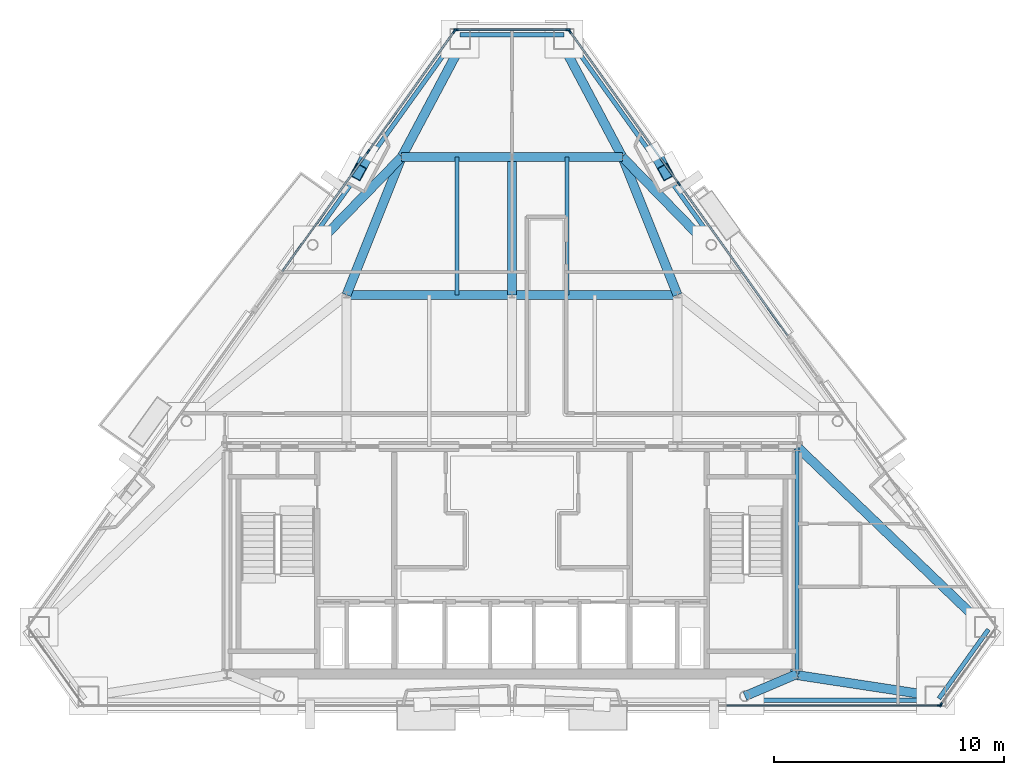
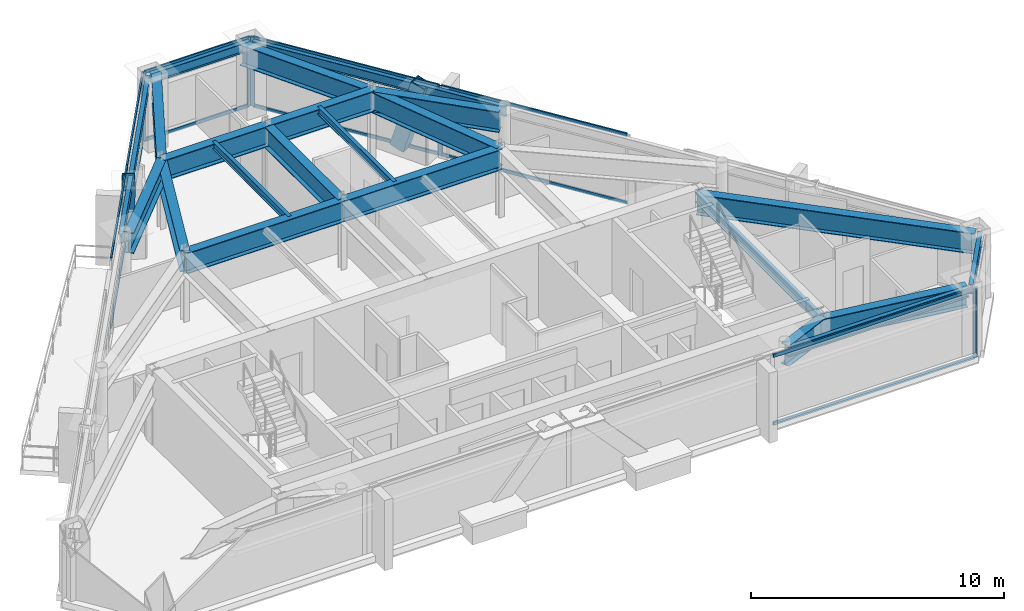
# One storey, part 5 of 12: 22 beams, 22 members, 5 elements without a shape of their own.
"""IFC4 building model written with IfcOpenShell, lengths in metres."""

from ifc_helpers import new_model, si_unit, direction, frame, origin, origin_2d, place, context, subcontext, project, spatial, rectangle, hollow_rectangle, i_section, extrude, material, layer, layer_set, material_profile, profile_set, type_object, element, aggregate, save


model = new_model("IFC4")

# Units and contexts
model_context = context("Model", 3, precision=1e-05, world=origin(), true_north=direction((0.0, 1.0)))
body_context = subcontext(model_context, "Body", "Model", "MODEL_VIEW")
ifc_project = project(units=[si_unit("LENGTHUNIT", "METRE"), si_unit("AREAUNIT", "SQUARE_METRE"), si_unit("VOLUMEUNIT", "CUBIC_METRE"), si_unit("PLANEANGLEUNIT", "RADIAN"), si_unit("MASSUNIT", "GRAM", prefix="KILO")], contexts=[model_context])

# Site, building, storey
site_placement = place(None, origin())
site = spatial("IfcSite", under=ifc_project, at=site_placement, CompositionType="ELEMENT")
building_placement = place(site_placement, origin())
building = spatial("IfcBuilding", under=site, at=building_placement, Name="Talgorran Terracotta Tower", CompositionType="ELEMENT")
storey_placement = place(building_placement, frame((0.0, 0.0, 259.800048828125)))
storey = spatial("IfcBuildingStorey", under=building, at=storey_placement, Name="L68", CompositionType="ELEMENT", Elevation=259.800048828125)

# Beams
ifc_material_1 = material(Name="Steel Grade 350 (350L0)", Category="steel")
ifc_material_profile_1 = material_profile(ifc_material_1, i_section(OverallWidth=0.39990234375, OverallDepth=1.0, WebThickness=0.01611328125, FlangeThickness=0.031005859375, at=origin_2d()), Name="1000WB296")
ifc_profile_set_1 = profile_set([ifc_material_profile_1], Name="Steel Grade 350 (350L0)")
beam_type_1 = type_object("IfcBeamType", Name="BM_1000WB296", PredefinedType="BEAM", material=ifc_profile_set_1)
beam_1_placement = place(storey_placement, frame((12.39990234375, -14.10009765625, 2.844970703125), z_axis=(-0.920082307349, -0.391725092002, 0.0), x_axis=(0.391725092002, -0.920082307349, 0.0)))
element("IfcBeam", 1, at=beam_1_placement, inside=storey, type_object=beam_type_1, Name="L68 South-East Core Tie Beam", PredefinedType="BEAM", context=body_context, shape_type="SweptSolid", body=[
    extrude(i_section(OverallWidth=0.39990234375, OverallDepth=1.0, WebThickness=0.01611328125, FlangeThickness=0.031005859375, at=origin_2d()), origin(), (0.0, 0.0, 1.0), 2.458740234375),
])
beam_2_placement = place(storey_placement, frame((18.43212890625, -15.063232421875, 2.844970703125), z_axis=(-0.988628941226, 0.150375585022, 0.0), x_axis=(-0.150375585022, -0.988628941226, 0.0)))
element("IfcBeam", 2, at=beam_2_placement, inside=storey, type_object=beam_type_1, Name="L68 Perimeter Step Girder 5", PredefinedType="BEAM", context=body_context, shape_type="SweptSolid", body=[
    extrude(i_section(OverallWidth=0.39990234375, OverallDepth=1.0, WebThickness=0.01611328125, FlangeThickness=0.031005859375, at=origin_2d()), origin(), (0.0, 0.0, 1.0), 6.40478515625),
])
for number, where, z_axis, x_axis, name in (
    (3, (1.97509765625, 13.716796875, 2.844970703125), (0.469200685486, -0.883091567585, 0.0), (0.883091567585, 0.469200685486, 0.0), "L68 Perimeter Step Girder 9B"),
    (4, (-1.97509765625, 13.716796875, 2.844970703125), (-0.469200685486, -0.883091567585, 0.0), (0.883091567585, -0.469200685486, 0.0), "L68 Perimeter Step Girder 10B"),
):
    element("IfcBeam", number, at=place(storey_placement, frame(where, z_axis=z_axis, x_axis=x_axis)), inside=storey, type_object=beam_type_1, Name=name, PredefinedType="BEAM", context=body_context, shape_type="SweptSolid", body=[
        extrude(i_section(OverallWidth=0.39990234375, OverallDepth=1.0, WebThickness=0.01611328125, FlangeThickness=0.031005859375, at=origin_2d()), origin(), (0.0, 0.0, 1.0), 6.020751953125),
    ])
for number, where, z_axis, x_axis, name in (
    (5, (-7.199951171875, 2.39990234375, 2.844970703125), (1.0, 0.0, 0.0), (0.0, 1.0, 0.0), "L68 Floor Girder G04"),
    (6, (0.0, 2.39990234375, 2.844970703125), (1.0, 0.0, 0.0), (0.0, 1.0, 0.0), "L68 Floor Girder G05"),
):
    element("IfcBeam", number, at=place(storey_placement, frame(where, z_axis=z_axis, x_axis=x_axis)), inside=storey, type_object=beam_type_1, Name=name, PredefinedType="BEAM", context=body_context, shape_type="SweptSolid", body=[
        extrude(i_section(OverallWidth=0.39990234375, OverallDepth=1.0, WebThickness=0.01611328125, FlangeThickness=0.031005859375, at=origin_2d()), origin(), (0.0, 0.0, 1.0), 7.199951171875),
    ])
beam_3_placement = place(storey_placement, frame((-7.199951171875, 2.39990234375, 2.844970703125), z_axis=(0.371377648723, 0.928481901832, 0.0), x_axis=(-0.928481901832, 0.371377648723, 0.0)))
element("IfcBeam", 7, at=beam_3_placement, inside=storey, type_object=beam_type_1, Name="L68 Floor Girder G08", PredefinedType="BEAM", context=body_context, shape_type="SweptSolid", body=[
    extrude(i_section(OverallWidth=0.39990234375, OverallDepth=1.0, WebThickness=0.01611328125, FlangeThickness=0.031005859375, at=origin_2d()), origin(), (0.0, 0.0, 1.0), 6.462158203125),
])
beam_4_placement = place(storey_placement, frame((0.0, 2.39990234375, 2.844970703125), z_axis=(0.0, 1.0, 0.0), x_axis=(-1.0, 0.0, 0.0)))
element("IfcBeam", 8, at=beam_4_placement, inside=storey, type_object=beam_type_1, Name="L68 Floor Girder G09", PredefinedType="BEAM", context=body_context, shape_type="SweptSolid", body=[
    extrude(i_section(OverallWidth=0.39990234375, OverallDepth=1.0, WebThickness=0.01611328125, FlangeThickness=0.031005859375, at=origin_2d()), origin(), (0.0, 0.0, 1.0), 6.0),
])
beam_5_placement = place(storey_placement, frame((7.199951171875, 2.39990234375, 2.844970703125), z_axis=(-0.371377648723, 0.928481901832, 0.0), x_axis=(-0.928481901832, -0.371377648723, 0.0)))
element("IfcBeam", 9, at=beam_5_placement, inside=storey, type_object=beam_type_1, Name="L68 Floor Girder G10", PredefinedType="BEAM", context=body_context, shape_type="SweptSolid", body=[
    extrude(i_section(OverallWidth=0.39990234375, OverallDepth=1.0, WebThickness=0.01611328125, FlangeThickness=0.031005859375, at=origin_2d()), origin(), (0.0, 0.0, 1.0), 6.462158203125),
])
for number, where, z_axis, x_axis, name in (
    (10, (-4.800048828125, 8.39990234375, 2.844970703125), (1.0, 0.0, 0.0), (0.0, 1.0, 0.0), "L68 Floor Girder G11"),
    (11, (0.0, 8.39990234375, 2.844970703125), (1.0, 0.0, 0.0), (0.0, 1.0, 0.0), "L68 Floor Girder G12"),
):
    element("IfcBeam", number, at=place(storey_placement, frame(where, z_axis=z_axis, x_axis=x_axis)), inside=storey, type_object=beam_type_1, Name=name, PredefinedType="BEAM", context=body_context, shape_type="SweptSolid", body=[
        extrude(i_section(OverallWidth=0.39990234375, OverallDepth=1.0, WebThickness=0.01611328125, FlangeThickness=0.031005859375, at=origin_2d()), origin(), (0.0, 0.0, 1.0), 4.800048828125),
    ])
for number, where, z_axis, x_axis, name in (
    (12, (-4.800048828125, 8.39990234375, 2.844970703125), (-0.697416483559, -0.716666064817, 0.0), (0.716666064817, -0.697416483559, 0.0), "L68 Floor Girder G13"),
    (13, (4.800048828125, 8.39990234375, 2.844970703125), (0.697416483559, -0.716666064817, 0.0), (0.716666064817, 0.697416483559, 0.0), "L68 Floor Girder G14"),
):
    element("IfcBeam", number, at=place(storey_placement, frame(where, z_axis=z_axis, x_axis=x_axis)), inside=storey, type_object=beam_type_1, Name=name, PredefinedType="BEAM", context=body_context, shape_type="SweptSolid", body=[
        extrude(i_section(OverallWidth=0.39990234375, OverallDepth=1.0, WebThickness=0.01611328125, FlangeThickness=0.031005859375, at=origin_2d()), origin(), (0.0, 0.0, 1.0), 5.288818359375),
    ])
beam_6_placement = place(storey_placement, frame((12.39990234375, -4.199951171875, 2.844970703125), z_axis=(0.721440209588, -0.692476731731, 0.0), x_axis=(0.692476731731, 0.721440209588, 0.0)))
element("IfcBeam", 14, at=beam_6_placement, inside=storey, type_object=beam_type_1, Name="L68 Floor Girder G18", PredefinedType="BEAM", context=body_context, shape_type="SweptSolid", body=[
    extrude(i_section(OverallWidth=0.39990234375, OverallDepth=1.0, WebThickness=0.01611328125, FlangeThickness=0.031005859375, at=origin_2d()), origin(), (0.0, 0.0, 1.0), 11.345703125),
])
ifc_material_2 = material(Name="Steel S355 (300PLUS)", Category="steel")
ifc_material_profile_2 = material_profile(ifc_material_2, i_section(OverallWidth=0.17138671875, OverallDepth=0.355712890625, WebThickness=0.00732421875, FlangeThickness=0.011474609375, at=origin_2d()), Name="360UB50.7")
ifc_profile_set_2 = profile_set([ifc_material_profile_2], Name="Steel S355 (300PLUS)")
beam_type_2 = type_object("IfcBeamType", Name="BM_JS_360UB51", PredefinedType="JOIST", material=ifc_profile_set_2)
for number, where, z_axis, x_axis, name in (
    (15, (-2.39990234375, 2.39990234375, 3.167236328125), (0.0, 1.0, 0.0), (-1.0, 0.0, 0.0), "L68 Secondary Joist J03"),
    (16, (2.39990234375, 2.39990234375, 3.167236328125), (0.0, 1.0, 0.0), (-1.0, 0.0, 0.0), "L68 Secondary Joist J04"),
):
    element("IfcBeam", number, at=place(storey_placement, frame(where, z_axis=z_axis, x_axis=x_axis)), inside=storey, type_object=beam_type_2, Name=name, PredefinedType="JOIST", context=body_context, shape_type="SweptSolid", body=[
        extrude(i_section(OverallWidth=0.17138671875, OverallDepth=0.355712890625, WebThickness=0.00732421875, FlangeThickness=0.011474609375, at=origin_2d()), origin(), (0.0, 0.0, 1.0), 6.0),
    ])
ifc_material_profile_3 = material_profile(ifc_material_2, i_section(OverallWidth=0.18994140625, OverallDepth=0.45703125, WebThickness=0.009033203125, FlangeThickness=0.014404296875, at=origin_2d()), Name="460UB74.6")
ifc_profile_set_3 = profile_set([ifc_material_profile_3], Name="Steel S355 (300PLUS)")
beam_type_3 = type_object("IfcBeamType", Name="BM_SP_460UB74", PredefinedType="SPANDREL", material=ifc_profile_set_3)
beam_7_placement = place(storey_placement, frame((10.1376953125, -15.243408203125, 3.116455078125), z_axis=(1.0, 0.0, 0.0), x_axis=(0.0, 1.0, 0.0)))
element("IfcBeam", 17, at=beam_7_placement, inside=storey, type_object=beam_type_3, Name="L68 Perimeter Spandrel Beam FC2-MC3", PredefinedType="SPANDREL", context=body_context, shape_type="SweptSolid", body=[
    extrude(i_section(OverallWidth=0.18994140625, OverallDepth=0.45703125, WebThickness=0.009033203125, FlangeThickness=0.014404296875, at=origin_2d()), origin(), (0.0, 0.0, 1.0), 8.29443359375),
])
beam_8_placement = place(storey_placement, frame((18.578369140625, -15.168212890625, 3.116455078125), z_axis=(0.582224487769, 0.813028071989, 0.0), x_axis=(-0.813028071989, 0.582224487769, 0.0)))
element("IfcBeam", 18, at=beam_8_placement, inside=storey, type_object=beam_type_3, Name="L68 Perimeter Spandrel Beam MC3-MC4", PredefinedType="SPANDREL", context=body_context, shape_type="SweptSolid", body=[
    extrude(i_section(OverallWidth=0.18994140625, OverallDepth=0.45703125, WebThickness=0.009033203125, FlangeThickness=0.014404296875, at=origin_2d()), origin(), (0.0, 0.0, 1.0), 3.697998046875),
])
beam_9_placement = place(storey_placement, frame((8.81884765625, 4.683837890625, 3.116455078125), z_axis=(-0.58220828918, 0.813039671855, 0.0), x_axis=(-0.813039671855, -0.58220828918, 0.0)))
element("IfcBeam", 19, at=beam_9_placement, inside=storey, type_object=beam_type_3, Name="L68 Perimeter Spandrel Beam FC4-MC5", PredefinedType="SPANDREL", context=body_context, shape_type="SweptSolid", body=[
    extrude(i_section(OverallWidth=0.18994140625, OverallDepth=0.45703125, WebThickness=0.009033203125, FlangeThickness=0.014404296875, at=origin_2d()), origin(), (0.0, 0.0, 1.0), 11.017578125),
])
beam_10_placement = place(storey_placement, frame((2.258056640625, 13.716796875, 3.116455078125), z_axis=(-1.0, 0.0, 0.0), x_axis=(0.0, -1.0, 0.0)))
element("IfcBeam", 20, at=beam_10_placement, inside=storey, type_object=beam_type_3, Name="L68 Perimeter Spandrel Beam MC5-MC6", PredefinedType="SPANDREL", context=body_context, shape_type="SweptSolid", body=[
    extrude(i_section(OverallWidth=0.18994140625, OverallDepth=0.45703125, WebThickness=0.009033203125, FlangeThickness=0.014404296875, at=origin_2d()), origin(), (0.0, 0.0, 1.0), 4.51611328125),
])
beam_11_placement = place(storey_placement, frame((-2.404296875, 13.6416015625, 3.116455078125), z_axis=(-0.58220828918, -0.813039671855, 0.0), x_axis=(0.813039671855, -0.58220828918, 0.0)))
element("IfcBeam", 21, at=beam_11_placement, inside=storey, type_object=beam_type_3, Name="L68 Perimeter Spandrel Beam MC6-FC5", PredefinedType="SPANDREL", context=body_context, shape_type="SweptSolid", body=[
    extrude(i_section(OverallWidth=0.18994140625, OverallDepth=0.45703125, WebThickness=0.009033203125, FlangeThickness=0.014404296875, at=origin_2d()), origin(), (0.0, 0.0, 1.0), 11.017578125),
])
beam_12_placement = place(storey_placement, frame((12.39990234375, -14.10009765625, 3.116455078125), z_axis=(0.0, 1.0, 0.0), x_axis=(-1.0, 0.0, 0.0)))
element("IfcBeam", 22, at=beam_12_placement, inside=storey, type_object=beam_type_3, Name="L68 Core Frame Beam CFE", PredefinedType="SPANDREL", context=body_context, shape_type="SweptSolid", body=[
    extrude(i_section(OverallWidth=0.18994140625, OverallDepth=0.45703125, WebThickness=0.009033203125, FlangeThickness=0.014404296875, at=origin_2d()), origin(), (0.0, 0.0, 1.0), 9.900146484375),
])

# Members
ifc_material_profile_4 = material_profile(ifc_material_1, hollow_rectangle(XDim=0.52001953125, YDim=0.659912109375, WallThickness=0.034912109375, at=origin_2d()), Name="WBOX660X520X35")
ifc_profile_set_4 = profile_set([ifc_material_profile_4], Name="Steel Grade 350 (350L0)")
member_type_1 = type_object("IfcMemberType", Name="MB_MEGA_660", PredefinedType="BRACE", material=ifc_profile_set_4)
for number, where, z_axis, x_axis, name in (
    (23, (6.2158203125, 8.628173828125, -0.025146484375), (0.13353529384, -0.249344053323, 0.9591641509), (0.881541591295, 0.472106368118, 0.0), "L68 Exterior Face Mega-Brace MB-3 (NEU)"),
    (24, (-6.2158203125, 8.628173828125, -0.025146484375), (-0.13353529384, -0.249344053323, 0.9591641509), (0.881541591295, -0.472106368118, 0.0), "L68 Exterior Face Mega-Brace MB-3 (NWU)"),
):
    element("IfcMember", number, at=place(storey_placement, frame(where, z_axis=z_axis, x_axis=x_axis)), inside=storey, type_object=member_type_1, Name=name, PredefinedType="BRACE", context=body_context, shape_type="SweptSolid", body=[
        extrude(hollow_rectangle(XDim=0.52001953125, YDim=0.659912109375, WallThickness=0.034912109375, at=origin_2d()), origin(), (0.0, 0.0, 1.0), 3.53955078125),
    ])

# Curtain wall, member
ifc_material_3 = material(Name="High-Wind Unitised Glazing", Category="glass")
ifc_layer = layer(ifc_material_3, 0.2099609375, Name="CW_SYS3_RES_HIGH")
ifc_layer_set = layer_set([ifc_layer], Name="High-Wind Unitised Glazing")
curtain_wall_type = type_object("IfcCurtainWallType", Name="CW_SYS3_RES_HIGH", PredefinedType="NOTDEFINED", material=ifc_layer_set)
curtain_wall_1_placement = place(storey_placement, origin())
curtain_wall_1 = element("IfcCurtainWall", 25, at=curtain_wall_1_placement, inside=storey, type_object=curtain_wall_type, Name="CW-L68-F1", PredefinedType="NOTDEFINED")
ifc_material_4 = material(Name="Architectural Aluminium 6063-T6", Category="aluminium")
ifc_material_profile_5 = material_profile(ifc_material_4, rectangle(XDim=0.070068359375, YDim=0.199951171875, at=origin_2d()), Name="CWM70X200")
ifc_profile_set_5 = profile_set([ifc_material_profile_5], Name="Architectural Aluminium 6063-T6")
member_type_2 = type_object("IfcMemberType", Name="MUL_70X200", PredefinedType="MULLION", material=ifc_profile_set_5)
member_1_placement = place(storey_placement, frame((18.6025390625, -15.46337890625, 0.0), z_axis=(0.0, 0.0, 1.0), x_axis=(0.0, 1.0, 0.0)))
member_1 = element("IfcMember", 26, at=member_1_placement, type_object=member_type_2, Name="CW-L68-1 mullion 5", PredefinedType="MULLION", context=body_context, shape_type="SweptSolid", body=[
    extrude(rectangle(XDim=0.070068359375, YDim=0.199951171875, at=origin_2d()), origin(), (0.0, 0.0, 1.0), 3.344970703125),
])

curtain_wall_2_placement = place(storey_placement, origin())
curtain_wall_2 = element("IfcCurtainWall", 27, at=curtain_wall_2_placement, inside=storey, type_object=curtain_wall_type, Name="CW-L68-F2", PredefinedType="NOTDEFINED")
member_2_placement = place(storey_placement, frame((18.657958984375, -15.434814453125, 0.0), z_axis=(0.0, 0.0, 1.0), x_axis=(-0.813031401137, 0.582219838862, 0.0)))
member_2 = element("IfcMember", 28, at=member_2_placement, type_object=member_type_2, Name="CW-L68-2 mullion 1", PredefinedType="MULLION", context=body_context, shape_type="SweptSolid", body=[
    extrude(rectangle(XDim=0.070068359375, YDim=0.199951171875, at=origin_2d()), origin(), (0.0, 0.0, 1.0), 3.344970703125),
])
aggregate(curtain_wall_2, [member_2])

# Curtain wall, members
curtain_wall_3_placement = place(storey_placement, origin())
curtain_wall_3 = element("IfcCurtainWall", 29, at=curtain_wall_3_placement, inside=storey, type_object=curtain_wall_type, Name="CW-L68-F41", PredefinedType="NOTDEFINED")
member_3_placement = place(storey_placement, frame((7.259521484375, 7.239501953125, 0.0), z_axis=(0.0, 0.0, 1.0), x_axis=(-0.813042574, -0.582204236384, 0.0)))
member_3 = element("IfcMember", 30, at=member_3_placement, type_object=member_type_2, Name="CW-L68-41 mullion 2", PredefinedType="MULLION", context=body_context, shape_type="SweptSolid", body=[
    extrude(rectangle(XDim=0.070068359375, YDim=0.199951171875, at=origin_2d()), origin(), (0.0, 0.0, 1.0), 3.344970703125),
])
member_4_placement = place(storey_placement, frame((2.50732421875, 13.875732421875, 0.0), z_axis=(0.0, 0.0, 1.0), x_axis=(-0.813042574, -0.582204236384, 0.0)))
member_4 = element("IfcMember", 31, at=member_4_placement, type_object=member_type_2, Name="CW-L68-41 mullion 3", PredefinedType="MULLION", context=body_context, shape_type="SweptSolid", body=[
    extrude(rectangle(XDim=0.070068359375, YDim=0.199951171875, at=origin_2d()), origin(), (0.0, 0.0, 1.0), 3.344970703125),
])

curtain_wall_4_placement = place(storey_placement, origin())
curtain_wall_4 = element("IfcCurtainWall", 32, at=curtain_wall_4_placement, inside=storey, type_object=curtain_wall_type, Name="CW-L68-F4", PredefinedType="NOTDEFINED")
member_5_placement = place(storey_placement, frame((2.4287109375, 13.936767578125, 0.0), z_axis=(0.0, 0.0, 1.0), x_axis=(0.0, -1.0, 0.0)))
member_5 = element("IfcMember", 33, at=member_5_placement, type_object=member_type_2, Name="CW-L68-4 mullion 1", PredefinedType="MULLION", context=body_context, shape_type="SweptSolid", body=[
    extrude(rectangle(XDim=0.070068359375, YDim=0.199951171875, at=origin_2d()), origin(), (0.0, 0.0, 1.0), 3.344970703125),
])
member_6_placement = place(storey_placement, frame((-2.4287109375, 13.936767578125, 0.0), z_axis=(0.0, 0.0, 1.0), x_axis=(0.0, -1.0, 0.0)))
member_6 = element("IfcMember", 34, at=member_6_placement, type_object=member_type_2, Name="CW-L68-4 mullion 2", PredefinedType="MULLION", context=body_context, shape_type="SweptSolid", body=[
    extrude(rectangle(XDim=0.070068359375, YDim=0.199951171875, at=origin_2d()), origin(), (0.0, 0.0, 1.0), 3.344970703125),
])

curtain_wall_5_placement = place(storey_placement, origin())
curtain_wall_5 = element("IfcCurtainWall", 35, at=curtain_wall_5_placement, inside=storey, type_object=curtain_wall_type, Name="CW-L68-F60", PredefinedType="NOTDEFINED")
member_7_placement = place(storey_placement, frame((-2.50732421875, 13.875732421875, 0.0), z_axis=(0.0, 0.0, 1.0), x_axis=(0.813041167998, -0.582206199848, 0.0)))
member_7 = element("IfcMember", 36, at=member_7_placement, type_object=member_type_2, Name="CW-L68-60 mullion 1", PredefinedType="MULLION", context=body_context, shape_type="SweptSolid", body=[
    extrude(rectangle(XDim=0.070068359375, YDim=0.199951171875, at=origin_2d()), origin(), (0.0, 0.0, 1.0), 3.344970703125),
])
member_8_placement = place(storey_placement, frame((-6.26025390625, 8.634765625, 0.0), z_axis=(0.0, 0.0, 1.0), x_axis=(0.813041167998, -0.582206199848, 0.0)))
member_8 = element("IfcMember", 37, at=member_8_placement, type_object=member_type_2, Name="CW-L68-60 mullion 2", PredefinedType="MULLION", context=body_context, shape_type="SweptSolid", body=[
    extrude(rectangle(XDim=0.070068359375, YDim=0.199951171875, at=origin_2d()), origin(), (0.0, 0.0, 1.0), 3.344970703125),
])

# Member
ifc_material_profile_6 = material_profile(ifc_material_4, rectangle(XDim=0.070068359375, YDim=0.159912109375, at=origin_2d()), Name="CWT70X160")
ifc_profile_set_6 = profile_set([ifc_material_profile_6], Name="Architectural Aluminium 6063-T6")
member_type_3 = type_object("IfcMemberType", Name="TRN_70X160", PredefinedType="USERDEFINED", material=ifc_profile_set_6)
member_9_placement = place(storey_placement, frame((9.353759765625, -15.46337890625, 0.034912109375), z_axis=(1.0, 0.0, 0.0), x_axis=(0.0, 1.0, 0.0)))
member_9 = element("IfcMember", 38, at=member_9_placement, type_object=member_type_3, Name="CW-L68-1 transom 4.1", ObjectType="TRANSOM", PredefinedType="USERDEFINED", context=body_context, shape_type="SweptSolid", body=[
    extrude(rectangle(XDim=0.070068359375, YDim=0.159912109375, at=origin_2d()), origin(), (0.0, 0.0, 1.0), 9.2138671875),
])

member_10_placement = place(storey_placement, frame((9.353759765625, -15.46337890625, 3.31005859375), z_axis=(1.0, 0.0, 0.0), x_axis=(0.0, 1.0, 0.0)))
member_10 = element("IfcMember", 39, at=member_10_placement, type_object=member_type_3, Name="CW-L68-1 transom 4.2", ObjectType="TRANSOM", PredefinedType="USERDEFINED", context=body_context, shape_type="SweptSolid", body=[
    extrude(rectangle(XDim=0.070068359375, YDim=0.159912109375, at=origin_2d()), origin(), (0.0, 0.0, 1.0), 9.2138671875),
])

aggregate(curtain_wall_1, [member_1, member_9, member_10])

member_11_placement = place(storey_placement, frame((11.9912109375, 0.631591796875, 0.034912109375), z_axis=(-0.582210948178, 0.813037767771, 0.0), x_axis=(-0.813037767771, -0.582210948178, 0.0)))
member_11 = element("IfcMember", 40, at=member_11_placement, type_object=member_type_3, Name="CW-L68-41 transom 1.1", ObjectType="TRANSOM", PredefinedType="USERDEFINED", context=body_context, shape_type="SweptSolid", body=[
    extrude(rectangle(XDim=0.070068359375, YDim=0.159912109375, at=origin_2d()), origin(), (0.0, 0.0, 1.0), 8.09228515625),
])

member_12_placement = place(storey_placement, frame((11.9912109375, 0.631591796875, 3.31005859375), z_axis=(-0.582210948178, 0.813037767771, 0.0), x_axis=(-0.813037767771, -0.582210948178, 0.0)))
member_12 = element("IfcMember", 41, at=member_12_placement, type_object=member_type_3, Name="CW-L68-41 transom 1.2", ObjectType="TRANSOM", PredefinedType="USERDEFINED", context=body_context, shape_type="SweptSolid", body=[
    extrude(rectangle(XDim=0.070068359375, YDim=0.159912109375, at=origin_2d()), origin(), (0.0, 0.0, 1.0), 8.09228515625),
])

member_13_placement = place(storey_placement, frame((7.239013671875, 7.267822265625, 0.034912109375), z_axis=(-0.582210948178, 0.813037767771, 0.0), x_axis=(-0.813037767771, -0.582210948178, 0.0)))
member_13 = element("IfcMember", 42, at=member_13_placement, type_object=member_type_3, Name="CW-L68-41 transom 2.1", ObjectType="TRANSOM", PredefinedType="USERDEFINED", context=body_context, shape_type="SweptSolid", body=[
    extrude(rectangle(XDim=0.070068359375, YDim=0.159912109375, at=origin_2d()), origin(), (0.0, 0.0, 1.0), 8.09228515625),
])

member_14_placement = place(storey_placement, frame((7.239013671875, 7.267822265625, 3.31005859375), z_axis=(-0.582210948178, 0.813037767771, 0.0), x_axis=(-0.813037767771, -0.582210948178, 0.0)))
member_14 = element("IfcMember", 43, at=member_14_placement, type_object=member_type_3, Name="CW-L68-41 transom 2.2", ObjectType="TRANSOM", PredefinedType="USERDEFINED", context=body_context, shape_type="SweptSolid", body=[
    extrude(rectangle(XDim=0.070068359375, YDim=0.159912109375, at=origin_2d()), origin(), (0.0, 0.0, 1.0), 8.09228515625),
])

aggregate(curtain_wall_3, [member_3, member_4, member_11, member_12, member_13, member_14])

member_15_placement = place(storey_placement, frame((2.3935546875, 13.936767578125, 0.034912109375), z_axis=(-1.0, 0.0, 0.0), x_axis=(0.0, -1.0, 0.0)))
member_15 = element("IfcMember", 44, at=member_15_placement, type_object=member_type_3, Name="CW-L68-4 transom 1.1", ObjectType="TRANSOM", PredefinedType="USERDEFINED", context=body_context, shape_type="SweptSolid", body=[
    extrude(rectangle(XDim=0.070068359375, YDim=0.159912109375, at=origin_2d()), origin(), (0.0, 0.0, 1.0), 4.787109375),
])

member_16_placement = place(storey_placement, frame((2.3935546875, 13.936767578125, 3.31005859375), z_axis=(-1.0, 0.0, 0.0), x_axis=(0.0, -1.0, 0.0)))
member_16 = element("IfcMember", 45, at=member_16_placement, type_object=member_type_3, Name="CW-L68-4 transom 1.2", ObjectType="TRANSOM", PredefinedType="USERDEFINED", context=body_context, shape_type="SweptSolid", body=[
    extrude(rectangle(XDim=0.070068359375, YDim=0.159912109375, at=origin_2d()), origin(), (0.0, 0.0, 1.0), 4.787109375),
])

aggregate(curtain_wall_4, [member_5, member_6, member_15, member_16])

member_17_placement = place(storey_placement, frame((-2.527587890625, 13.84716796875, 0.034912109375), z_axis=(-0.58221574862, -0.813034330184, 0.0), x_axis=(0.813034330184, -0.58221574862, 0.0)))
member_17 = element("IfcMember", 46, at=member_17_placement, type_object=member_type_3, Name="CW-L68-60 transom 1.1", ObjectType="TRANSOM", PredefinedType="USERDEFINED", context=body_context, shape_type="SweptSolid", body=[
    extrude(rectangle(XDim=0.070068359375, YDim=0.159912109375, at=origin_2d()), origin(), (0.0, 0.0, 1.0), 6.3759765625),
])

member_18_placement = place(storey_placement, frame((-2.527587890625, 13.84716796875, 3.31005859375), z_axis=(-0.58221574862, -0.813034330184, 0.0), x_axis=(0.813034330184, -0.58221574862, 0.0)))
member_18 = element("IfcMember", 47, at=member_18_placement, type_object=member_type_3, Name="CW-L68-60 transom 1.2", ObjectType="TRANSOM", PredefinedType="USERDEFINED", context=body_context, shape_type="SweptSolid", body=[
    extrude(rectangle(XDim=0.070068359375, YDim=0.159912109375, at=origin_2d()), origin(), (0.0, 0.0, 1.0), 6.3759765625),
])

member_19_placement = place(storey_placement, frame((-6.280517578125, 8.6064453125, 0.034912109375), z_axis=(-0.582197623525, -0.813047309301, 0.0), x_axis=(0.813047309301, -0.582197623525, 0.0)))
member_19 = element("IfcMember", 48, at=member_19_placement, type_object=member_type_3, Name="CW-L68-60 transom 2.1", ObjectType="TRANSOM", PredefinedType="USERDEFINED", context=body_context, shape_type="SweptSolid", body=[
    extrude(rectangle(XDim=0.070068359375, YDim=0.159912109375, at=origin_2d()), origin(), (0.0, 0.0, 1.0), 6.376220703125),
])

member_20_placement = place(storey_placement, frame((-6.280517578125, 8.6064453125, 3.31005859375), z_axis=(-0.582197623525, -0.813047309301, 0.0), x_axis=(0.813047309301, -0.582197623525, 0.0)))
member_20 = element("IfcMember", 49, at=member_20_placement, type_object=member_type_3, Name="CW-L68-60 transom 2.2", ObjectType="TRANSOM", PredefinedType="USERDEFINED", context=body_context, shape_type="SweptSolid", body=[
    extrude(rectangle(XDim=0.070068359375, YDim=0.159912109375, at=origin_2d()), origin(), (0.0, 0.0, 1.0), 6.376220703125),
])

aggregate(curtain_wall_5, [member_7, member_8, member_17, member_18, member_19, member_20])

save(model, "model.ifc")
